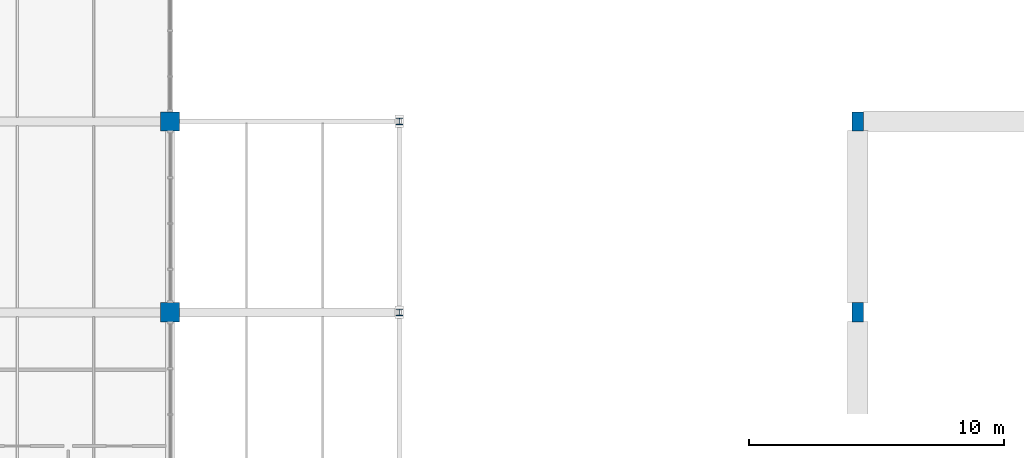
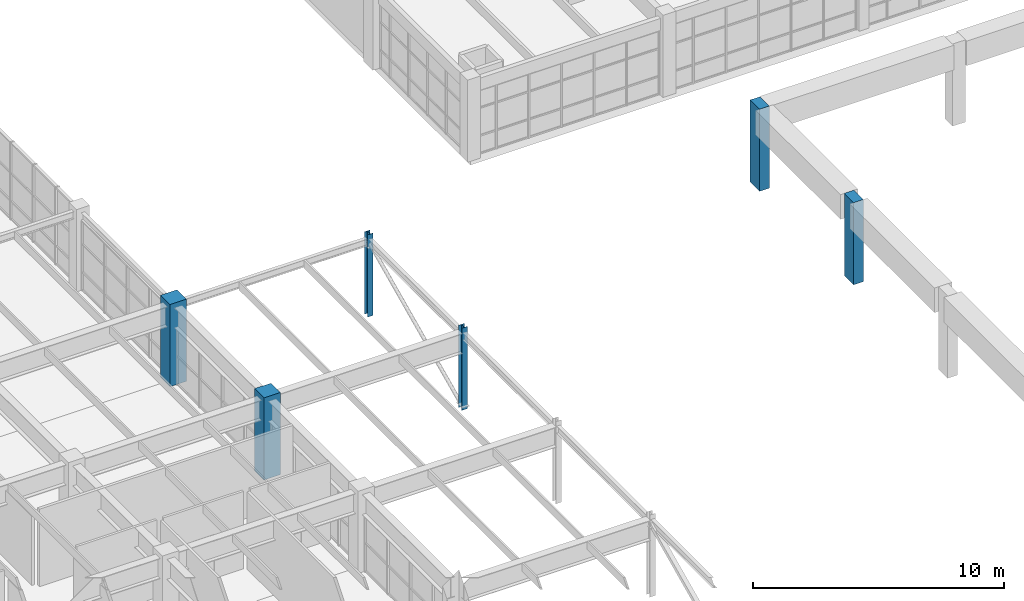
# One storey, part 3 of 76: 6 columns.
"""IFC4 building model written with IfcOpenShell, lengths in metres."""

import ifcopenshell
import ifcopenshell.guid

model = None  # the IFC model being written
_history = None  # IfcOwnerHistory: only IFC2X3 demands one
_inside = {}  # id of a spatial element -> (the spatial element, [elements in it])
_under = {}  # id of a project, library or spatial element -> (it, [spatial elements below it])
_declared = {}  # id of a project -> (the project, [libraries it declares])
_typed = {}  # id of a type object -> (the type object, [elements of that type])
_made_of = {}  # id of a material, layer set ... -> (it, [elements and type objects made of it])


def new_model(schema):
    """Start an empty IFC model of exactly this schema.

    Asked for "IFC4X3", IfcOpenShell would pick the latest addendum, in which some entities
    have other attributes; the version numbers below select the first issue.
    IFC2X3 requires an IfcOwnerHistory on every rooted entity: one is made here for all.
    """
    global model, _history
    if schema == "IFC4X3":
        model = ifcopenshell.file(schema_version=(4, 3, 0, 0))
    else:
        model = ifcopenshell.file(schema=schema)
    _inside.clear()
    _under.clear()
    _declared.clear()
    _typed.clear()
    _made_of.clear()
    _history = None
    if model.schema == "IFC2X3":
        org = make("IfcOrganization", Name="unknown")
        user = make(
            "IfcPersonAndOrganization",
            ThePerson=make("IfcPerson", FamilyName="unknown"),
            TheOrganization=org,
        )
        app = make(
            "IfcApplication",
            ApplicationDeveloper=org,
            Version="unknown",
            ApplicationFullName="unknown",
            ApplicationIdentifier="unknown",
        )
        _history = make(
            "IfcOwnerHistory",
            OwningUser=user,
            OwningApplication=app,
            ChangeAction="ADDED",
            CreationDate=0,
        )
    return model


def make(cls, **values):
    """One entity of the class cls with the attributes given. An attribute that is None is left unset."""
    return model.create_entity(
        cls, **{name: value for name, value in values.items() if value is not None}
    )


def rooted(cls, **values):
    """An entity with a GlobalId (a new one), such as an element, a storey or a relation."""
    return make(cls, GlobalId=ifcopenshell.guid.new(), OwnerHistory=_history, **values)


def si_unit(unit_type, name, prefix=None):
    """IfcSIUnit, for example si_unit("LENGTHUNIT", "METRE", prefix="MILLI")."""
    return make("IfcSIUnit", UnitType=unit_type, Prefix=prefix, Name=name)


def assignment(units):
    """IfcUnitAssignment: the units of a project."""
    return None if units is None else make("IfcUnitAssignment", Units=units)


def point(xyz):
    """IfcCartesianPoint."""
    return None if xyz is None else make("IfcCartesianPoint", Coordinates=xyz)


def direction(xyz):
    """IfcDirection."""
    return None if xyz is None else make("IfcDirection", DirectionRatios=xyz)


def frame(location, z_axis=None, x_axis=None):
    """IfcAxis2Placement3D, a coordinate frame: its origin and axes. An axis left out is left unset."""
    return make(
        "IfcAxis2Placement3D",
        Location=point(location),
        Axis=direction(z_axis),
        RefDirection=direction(x_axis),
    )


def frame_2d(location, x_axis=None):
    """IfcAxis2Placement2D, a coordinate frame in the plane: its origin and x axis."""
    return make(
        "IfcAxis2Placement2D", Location=point(location), RefDirection=direction(x_axis)
    )


def origin():
    """The frame at (0, 0, 0) with its axes left unset."""
    return frame((0.0, 0.0, 0.0))


def origin_2d():
    """The frame at (0, 0) in the plane with its x axis left unset."""
    return frame_2d((0.0, 0.0))


def place(relative_to, where):
    """IfcLocalPlacement: puts the frame where relative to a parent placement (None: the world)."""
    return make(
        "IfcLocalPlacement", PlacementRelTo=relative_to, RelativePlacement=where
    )


def context(
    kind, dimensions, precision=None, world=None, true_north=None, identifier=None
):
    """IfcGeometricRepresentationContext, for example the 3D "Model" context."""
    return make(
        "IfcGeometricRepresentationContext",
        ContextIdentifier=identifier,
        ContextType=kind,
        CoordinateSpaceDimension=dimensions,
        Precision=precision,
        WorldCoordinateSystem=world,
        TrueNorth=true_north,
    )


def subcontext(parent, identifier, kind, view, scale=None):
    """IfcGeometricRepresentationSubContext, for example "Body" below "Model"."""
    return make(
        "IfcGeometricRepresentationSubContext",
        ContextIdentifier=identifier,
        ContextType=kind,
        ParentContext=parent,
        TargetScale=scale,
        TargetView=view,
    )


def project(units=None, contexts=None):
    """IfcProject with its units and contexts."""
    return rooted(
        "IfcProject",
        Name="project",
        RepresentationContexts=contexts,
        UnitsInContext=assignment(units),
    )


def spatial(cls, under=None, at=None, **own):
    """A site, building, storey or space (cls), placed at a placement, below another one or the project."""
    s = rooted(cls, ObjectPlacement=at, **own)
    if under is not None:
        _under.setdefault(under.id(), (under, []))[1].append(s)
    return s


def profile(cls, at=None, kind="AREA", **sizes):
    """A parametric profile (cls). Its sizes go by their IFC names, for example OverallWidth=200.0."""
    return make(cls, ProfileType=kind, Position=at, **sizes)


def rectangle(**sizes):
    """IfcRectangleProfileDef."""
    return profile("IfcRectangleProfileDef", **sizes)


def i_section(**sizes):
    """IfcIShapeProfileDef."""
    return profile("IfcIShapeProfileDef", **sizes)


def extrude(swept, where, along, depth):
    """IfcExtrudedAreaSolid: the profile swept, set in the frame where, extruded along a direction by depth."""
    return make(
        "IfcExtrudedAreaSolid",
        SweptArea=swept,
        Position=where,
        ExtrudedDirection=direction(along),
        Depth=depth,
    )


def shape(context_of_items, identifier, shape_type, items):
    """IfcShapeRepresentation: the items that make up one representation, for example the "Body"."""
    return make(
        "IfcShapeRepresentation",
        ContextOfItems=context_of_items,
        RepresentationIdentifier=identifier,
        RepresentationType=shape_type,
        Items=items,
    )


def material(Name=None, Category=None):
    """IfcMaterial."""
    return make("IfcMaterial", Name=Name, Category=Category)


def material_profile(
    of_material, cross_section, Name=None, Category=None, Priority=None
):
    """IfcMaterialProfile: a cross section and its material."""
    return make(
        "IfcMaterialProfile",
        Name=Name,
        Material=of_material,
        Profile=cross_section,
        Priority=Priority,
        Category=Category,
    )


def profile_set(profiles, Name=None, composite=None):
    """IfcMaterialProfileSet."""
    return make(
        "IfcMaterialProfileSet",
        Name=Name,
        MaterialProfiles=profiles,
        CompositeProfile=composite,
    )


def made_of(thing, what):
    """Note that an element or type object is made of a material, layer set ...; save() writes the relation."""
    if what is not None:
        _made_of.setdefault(what.id(), (what, []))[1].append(thing)
    return thing


def type_object(cls, material=None, **own):
    """A type object (cls), such as IfcWallType, which elements share."""
    return made_of(rooted(cls, **own), material)


def element(
    cls,
    number,
    at=None,
    inside=None,
    cuts=None,
    type_object=None,
    material=None,
    context=None,
    identifier="Body",
    shape_type=None,
    held_by="IfcProductDefinitionShape",
    body=None,
    shapes=None,
    **own,
):
    """One element of the class cls, such as IfcWall. Its Tag is "e" and its number.

    at: its placement. inside: the storey or other place that contains it. cuts: it is an
    opening in that element (IfcRelVoidsElement). A single representation is given by context,
    identifier, shape_type and body (its items); several are given by shapes. held_by: the class
    of the entity that holds the representations. save() writes the other relations.
    """
    e = rooted(cls, Tag="e%d" % number, ObjectPlacement=at, **own)
    if body is not None:
        shapes = [shape(context, identifier, shape_type, body)]
    if shapes is not None:
        e.Representation = make(held_by, Representations=shapes)
    if inside is not None:
        _inside.setdefault(inside.id(), (inside, []))[1].append(e)
    if cuts is not None:
        rooted(
            "IfcRelVoidsElement", RelatingBuildingElement=cuts, RelatedOpeningElement=e
        )
    if type_object is not None:
        _typed.setdefault(type_object.id(), (type_object, []))[1].append(e)
    return made_of(e, material)


def aggregate(whole, parts):
    """IfcRelAggregates: a whole, such as a stair, and the parts it consists of."""
    return rooted("IfcRelAggregates", RelatingObject=whole, RelatedObjects=parts)


def save(model, path):
    """Write the relations noted so far, then the file.

    IfcRelAggregates (storeys below a building ...), IfcRelContainedInSpatialStructure (elements
    in a storey), IfcRelDefinesByType, IfcRelAssociatesMaterial and IfcRelDeclares: one each for
    every whole, place, type object, material and project.
    """
    for whole, parts in _under.values():
        aggregate(whole, parts)
    for where, things in _inside.values():
        rooted(
            "IfcRelContainedInSpatialStructure",
            RelatedElements=things,
            RelatingStructure=where,
        )
    for kind, things in _typed.values():
        rooted("IfcRelDefinesByType", RelatedObjects=things, RelatingType=kind)
    for what, things in _made_of.values():
        rooted("IfcRelAssociatesMaterial", RelatedObjects=things, RelatingMaterial=what)
    for by, libraries in _declared.values():
        rooted("IfcRelDeclares", RelatingContext=by, RelatedDefinitions=libraries)
    model.write(path)


model = new_model("IFC4")

# Units and contexts
model_context = context("Model", 3, precision=1e-05, world=origin(), true_north=direction((0.0, 1.0)))
body_context = subcontext(model_context, "Body", "Model", "MODEL_VIEW")
ifc_project = project(units=[si_unit("LENGTHUNIT", "METRE"), si_unit("AREAUNIT", "SQUARE_METRE"), si_unit("VOLUMEUNIT", "CUBIC_METRE"), si_unit("PLANEANGLEUNIT", "RADIAN"), si_unit("MASSUNIT", "GRAM", prefix="KILO")], contexts=[model_context])

# Site, building, storey
site_placement = place(None, origin())
site = spatial("IfcSite", under=ifc_project, at=site_placement, CompositionType="ELEMENT")
building_placement = place(site_placement, origin())
building = spatial("IfcBuilding", under=site, at=building_placement, Name="Marnridge Secondary College", CompositionType="ELEMENT")
storey_placement = place(building_placement, frame((0.0, 0.0, 4.5)))
storey = spatial("IfcBuildingStorey", under=building, at=storey_placement, Name="L01", CompositionType="ELEMENT", Elevation=4.5)

# Columns
ifc_material_1 = material(Name="Concrete C40/50 (AS 3600 N40, 40 MPa)", Category="concrete")
ifc_material_profile_1 = material_profile(ifc_material_1, rectangle(XDim=0.449951171875, YDim=0.75, at=origin_2d()), Name="RC 450x750")
ifc_profile_set_1 = profile_set([ifc_material_profile_1], Name="Concrete C40/50 (AS 3600 N40, 40 MPa)")
column_type_1 = type_object("IfcColumnType", Name="CL-RC4575-EXT", PredefinedType="COLUMN", material=ifc_profile_set_1)
for number, where, z_axis, x_axis, name in (
    (1, (63.0, 22.5, 0.0), (0.0, 0.0, 1.0), (1.0, 0.0, 0.0), "Column C-L01-0173"),
    (2, (63.0, 30.0, 0.0), (0.0, 0.0, 1.0), (1.0, 0.0, 0.0), "Column C-L01-0218"),
):
    element("IfcColumn", number, at=place(storey_placement, frame(where, z_axis=z_axis, x_axis=x_axis)), inside=storey, type_object=column_type_1, Name=name, PredefinedType="COLUMN", context=body_context, shape_type="SweptSolid", body=[
        extrude(rectangle(XDim=0.449951171875, YDim=0.75, at=origin_2d()), origin(), (0.0, 0.0, 1.0), 4.0),
    ])
ifc_material_2 = material(Name="Concrete C50/60 (AS 3600 N50, 50 MPa)", Category="concrete")
ifc_material_profile_2 = material_profile(ifc_material_2, rectangle(XDim=0.75, YDim=0.75, at=origin_2d()), Name="RC 750x750")
ifc_profile_set_2 = profile_set([ifc_material_profile_2], Name="Concrete C50/60 (AS 3600 N50, 50 MPa)")
column_type_2 = type_object("IfcColumnType", Name="CL-RC750-EXT", PredefinedType="COLUMN", material=ifc_profile_set_2)
for number, where, z_axis, x_axis, name in (
    (3, (36.0, 22.5, 0.0), (0.0, 0.0, 1.0), (1.0, 0.0, 0.0), "Column C-L01-0164"),
    (4, (36.0, 30.0, 0.0), (0.0, 0.0, 1.0), (1.0, 0.0, 0.0), "Column C-L01-0209"),
):
    element("IfcColumn", number, at=place(storey_placement, frame(where, z_axis=z_axis, x_axis=x_axis)), inside=storey, type_object=column_type_2, Name=name, PredefinedType="COLUMN", context=body_context, shape_type="SweptSolid", body=[
        extrude(rectangle(XDim=0.75, YDim=0.75, at=origin_2d()), origin(), (0.0, 0.0, 1.0), 4.0),
    ])
ifc_material_3 = material(Name="Structural steel Grade 350 (AS/NZS 3679.1/.2, fy = 340-360 MPa)", Category="steel")
ifc_material_profile_3 = material_profile(ifc_material_3, i_section(OverallWidth=0.25390625, OverallDepth=0.25390625, WebThickness=0.008544921875, FlangeThickness=0.01416015625, FilletRadius=0.0126953125, at=origin_2d()), Name="250UC72.9")
ifc_profile_set_3 = profile_set([ifc_material_profile_3], Name="Structural steel Grade 350 (AS/NZS 3679.1/.2, fy = 340-360 MPa)")
column_type_3 = type_object("IfcColumnType", Name="CL-UC250-EXT", PredefinedType="COLUMN", material=ifc_profile_set_3)
for number, where, z_axis, x_axis, name in (
    (5, (45.0, 22.5, 0.0), (0.0, 0.0, 1.0), (1.0, 0.0, 0.0), "Column C-L01-0169"),
    (6, (45.0, 30.0, 0.0), (0.0, 0.0, 1.0), (1.0, 0.0, 0.0), "Column C-L01-0214"),
):
    element("IfcColumn", number, at=place(storey_placement, frame(where, z_axis=z_axis, x_axis=x_axis)), inside=storey, type_object=column_type_3, Name=name, PredefinedType="COLUMN", context=body_context, shape_type="SweptSolid", body=[
        extrude(i_section(OverallWidth=0.25390625, OverallDepth=0.25390625, WebThickness=0.008544921875, FlangeThickness=0.01416015625, FilletRadius=0.0126953125, at=origin_2d()), origin(), (0.0, 0.0, 1.0), 4.0),
    ])

save(model, "model.ifc")
